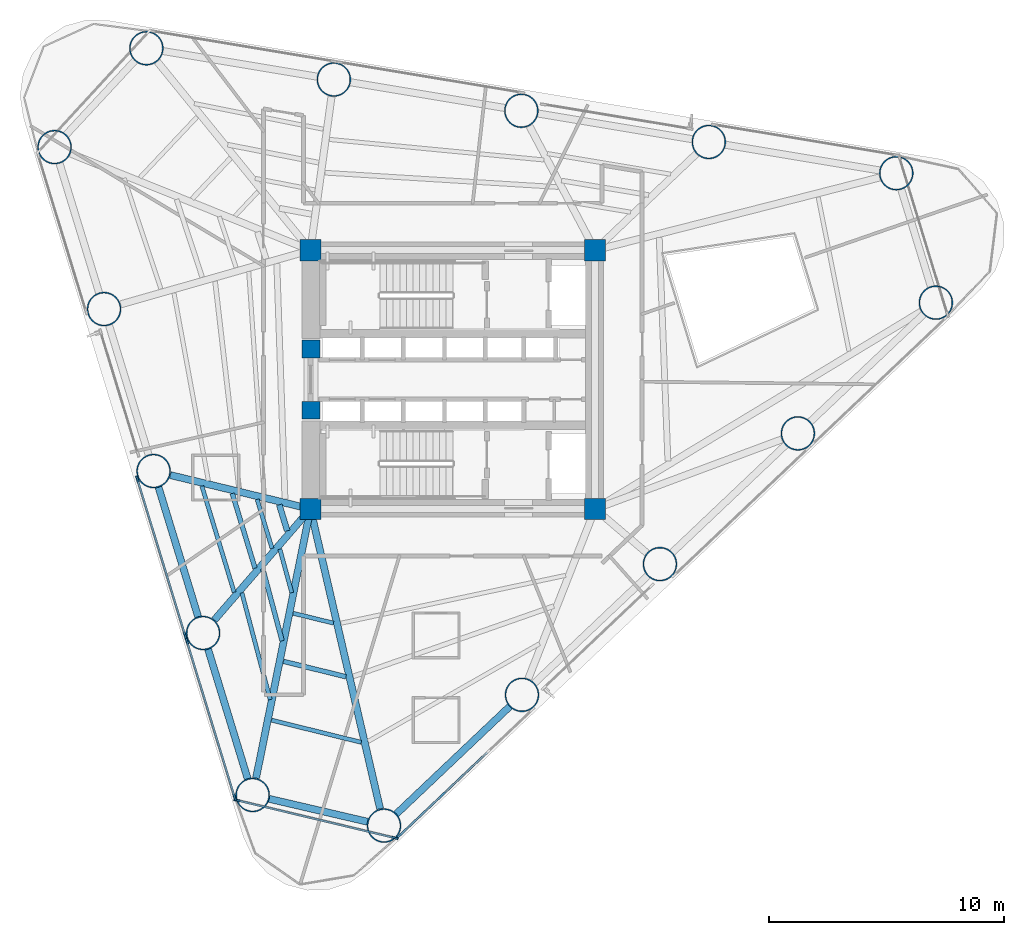
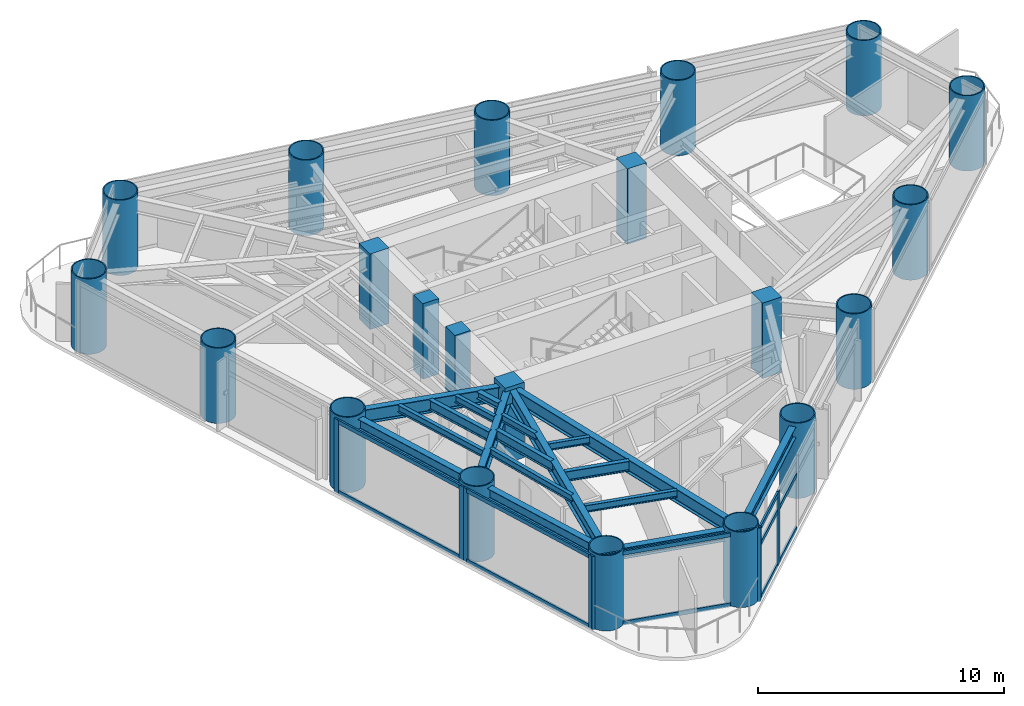
# One storey, part 1 of 10: 21 columns, 19 members, 18 beams, 4 elements without a shape of their own.
"""IFC4 building model written with IfcOpenShell, lengths in metres."""

import ifcopenshell
import ifcopenshell.guid

model = None  # the IFC model being written
_history = None  # IfcOwnerHistory: only IFC2X3 demands one
_inside = {}  # id of a spatial element -> (the spatial element, [elements in it])
_under = {}  # id of a project, library or spatial element -> (it, [spatial elements below it])
_declared = {}  # id of a project -> (the project, [libraries it declares])
_typed = {}  # id of a type object -> (the type object, [elements of that type])
_made_of = {}  # id of a material, layer set ... -> (it, [elements and type objects made of it])


def new_model(schema):
    """Start an empty IFC model of exactly this schema.

    Asked for "IFC4X3", IfcOpenShell would pick the latest addendum, in which some entities
    have other attributes; the version numbers below select the first issue.
    IFC2X3 requires an IfcOwnerHistory on every rooted entity: one is made here for all.
    """
    global model, _history
    if schema == "IFC4X3":
        model = ifcopenshell.file(schema_version=(4, 3, 0, 0))
    else:
        model = ifcopenshell.file(schema=schema)
    _inside.clear()
    _under.clear()
    _declared.clear()
    _typed.clear()
    _made_of.clear()
    _history = None
    if model.schema == "IFC2X3":
        org = make("IfcOrganization", Name="unknown")
        user = make(
            "IfcPersonAndOrganization",
            ThePerson=make("IfcPerson", FamilyName="unknown"),
            TheOrganization=org,
        )
        app = make(
            "IfcApplication",
            ApplicationDeveloper=org,
            Version="unknown",
            ApplicationFullName="unknown",
            ApplicationIdentifier="unknown",
        )
        _history = make(
            "IfcOwnerHistory",
            OwningUser=user,
            OwningApplication=app,
            ChangeAction="ADDED",
            CreationDate=0,
        )
    return model


def make(cls, **values):
    """One entity of the class cls with the attributes given. An attribute that is None is left unset."""
    return model.create_entity(
        cls, **{name: value for name, value in values.items() if value is not None}
    )


def rooted(cls, **values):
    """An entity with a GlobalId (a new one), such as an element, a storey or a relation."""
    return make(cls, GlobalId=ifcopenshell.guid.new(), OwnerHistory=_history, **values)


def si_unit(unit_type, name, prefix=None):
    """IfcSIUnit, for example si_unit("LENGTHUNIT", "METRE", prefix="MILLI")."""
    return make("IfcSIUnit", UnitType=unit_type, Prefix=prefix, Name=name)


def assignment(units):
    """IfcUnitAssignment: the units of a project."""
    return None if units is None else make("IfcUnitAssignment", Units=units)


def point(xyz):
    """IfcCartesianPoint."""
    return None if xyz is None else make("IfcCartesianPoint", Coordinates=xyz)


def direction(xyz):
    """IfcDirection."""
    return None if xyz is None else make("IfcDirection", DirectionRatios=xyz)


def frame(location, z_axis=None, x_axis=None):
    """IfcAxis2Placement3D, a coordinate frame: its origin and axes. An axis left out is left unset."""
    return make(
        "IfcAxis2Placement3D",
        Location=point(location),
        Axis=direction(z_axis),
        RefDirection=direction(x_axis),
    )


def frame_2d(location, x_axis=None):
    """IfcAxis2Placement2D, a coordinate frame in the plane: its origin and x axis."""
    return make(
        "IfcAxis2Placement2D", Location=point(location), RefDirection=direction(x_axis)
    )


def origin():
    """The frame at (0, 0, 0) with its axes left unset."""
    return frame((0.0, 0.0, 0.0))


def origin_2d():
    """The frame at (0, 0) in the plane with its x axis left unset."""
    return frame_2d((0.0, 0.0))


def place(relative_to, where):
    """IfcLocalPlacement: puts the frame where relative to a parent placement (None: the world)."""
    return make(
        "IfcLocalPlacement", PlacementRelTo=relative_to, RelativePlacement=where
    )


def context(
    kind, dimensions, precision=None, world=None, true_north=None, identifier=None
):
    """IfcGeometricRepresentationContext, for example the 3D "Model" context."""
    return make(
        "IfcGeometricRepresentationContext",
        ContextIdentifier=identifier,
        ContextType=kind,
        CoordinateSpaceDimension=dimensions,
        Precision=precision,
        WorldCoordinateSystem=world,
        TrueNorth=true_north,
    )


def subcontext(parent, identifier, kind, view, scale=None):
    """IfcGeometricRepresentationSubContext, for example "Body" below "Model"."""
    return make(
        "IfcGeometricRepresentationSubContext",
        ContextIdentifier=identifier,
        ContextType=kind,
        ParentContext=parent,
        TargetScale=scale,
        TargetView=view,
    )


def project(units=None, contexts=None):
    """IfcProject with its units and contexts."""
    return rooted(
        "IfcProject",
        Name="project",
        RepresentationContexts=contexts,
        UnitsInContext=assignment(units),
    )


def spatial(cls, under=None, at=None, **own):
    """A site, building, storey or space (cls), placed at a placement, below another one or the project."""
    s = rooted(cls, ObjectPlacement=at, **own)
    if under is not None:
        _under.setdefault(under.id(), (under, []))[1].append(s)
    return s


def profile(cls, at=None, kind="AREA", **sizes):
    """A parametric profile (cls). Its sizes go by their IFC names, for example OverallWidth=200.0."""
    return make(cls, ProfileType=kind, Position=at, **sizes)


def rectangle(**sizes):
    """IfcRectangleProfileDef."""
    return profile("IfcRectangleProfileDef", **sizes)


def hollow_circle(**sizes):
    """IfcCircleHollowProfileDef."""
    return profile("IfcCircleHollowProfileDef", **sizes)


def i_section(**sizes):
    """IfcIShapeProfileDef."""
    return profile("IfcIShapeProfileDef", **sizes)


def extrude(swept, where, along, depth):
    """IfcExtrudedAreaSolid: the profile swept, set in the frame where, extruded along a direction by depth."""
    return make(
        "IfcExtrudedAreaSolid",
        SweptArea=swept,
        Position=where,
        ExtrudedDirection=direction(along),
        Depth=depth,
    )


def shape(context_of_items, identifier, shape_type, items):
    """IfcShapeRepresentation: the items that make up one representation, for example the "Body"."""
    return make(
        "IfcShapeRepresentation",
        ContextOfItems=context_of_items,
        RepresentationIdentifier=identifier,
        RepresentationType=shape_type,
        Items=items,
    )


def source(mapping_origin, context_of_items, identifier, shape_type, items):
    """IfcRepresentationMap: a shape defined once, which mapped items show again and again."""
    return make(
        "IfcRepresentationMap",
        MappingOrigin=mapping_origin,
        MappedRepresentation=shape(context_of_items, identifier, shape_type, items),
    )


def transform(
    local_origin,
    x_axis=None,
    y_axis=None,
    z_axis=None,
    scale=None,
    scale2=None,
    scale3=None,
    uniform=True,
):
    """IfcCartesianTransformationOperator3D, or its non-uniform kind. x_axis, y_axis, z_axis: its Axis1, 2, 3."""
    if uniform:
        return make(
            "IfcCartesianTransformationOperator3D",
            Axis1=direction(x_axis),
            Axis2=direction(y_axis),
            LocalOrigin=point(local_origin),
            Scale=scale,
            Axis3=direction(z_axis),
        )
    return make(
        "IfcCartesianTransformationOperator3DnonUniform",
        Axis1=direction(x_axis),
        Axis2=direction(y_axis),
        LocalOrigin=point(local_origin),
        Scale=scale,
        Axis3=direction(z_axis),
        Scale2=scale2,
        Scale3=scale3,
    )


def mapped(mapping_source, mapping_target):
    """IfcMappedItem: shows the shape of a source again, moved by a transform."""
    return make(
        "IfcMappedItem", MappingSource=mapping_source, MappingTarget=mapping_target
    )


def material(Name=None, Category=None):
    """IfcMaterial."""
    return make("IfcMaterial", Name=Name, Category=Category)


def layer(
    of_material, thickness, ventilated=None, Name=None, Category=None, Priority=None
):
    """IfcMaterialLayer: one layer of a wall or slab, of a material (None: an air gap)."""
    return make(
        "IfcMaterialLayer",
        Material=of_material,
        LayerThickness=thickness,
        IsVentilated=ventilated,
        Name=Name,
        Category=Category,
        Priority=Priority,
    )


def layer_set(layers, Name=None):
    """IfcMaterialLayerSet."""
    return make("IfcMaterialLayerSet", MaterialLayers=layers, LayerSetName=Name)


def material_profile(
    of_material, cross_section, Name=None, Category=None, Priority=None
):
    """IfcMaterialProfile: a cross section and its material."""
    return make(
        "IfcMaterialProfile",
        Name=Name,
        Material=of_material,
        Profile=cross_section,
        Priority=Priority,
        Category=Category,
    )


def profile_set(profiles, Name=None, composite=None):
    """IfcMaterialProfileSet."""
    return make(
        "IfcMaterialProfileSet",
        Name=Name,
        MaterialProfiles=profiles,
        CompositeProfile=composite,
    )


def made_of(thing, what):
    """Note that an element or type object is made of a material, layer set ...; save() writes the relation."""
    if what is not None:
        _made_of.setdefault(what.id(), (what, []))[1].append(thing)
    return thing


def type_object(cls, material=None, **own):
    """A type object (cls), such as IfcWallType, which elements share."""
    return made_of(rooted(cls, **own), material)


def element(
    cls,
    number,
    at=None,
    inside=None,
    cuts=None,
    type_object=None,
    material=None,
    context=None,
    identifier="Body",
    shape_type=None,
    held_by="IfcProductDefinitionShape",
    body=None,
    shapes=None,
    **own,
):
    """One element of the class cls, such as IfcWall. Its Tag is "e" and its number.

    at: its placement. inside: the storey or other place that contains it. cuts: it is an
    opening in that element (IfcRelVoidsElement). A single representation is given by context,
    identifier, shape_type and body (its items); several are given by shapes. held_by: the class
    of the entity that holds the representations. save() writes the other relations.
    """
    e = rooted(cls, Tag="e%d" % number, ObjectPlacement=at, **own)
    if body is not None:
        shapes = [shape(context, identifier, shape_type, body)]
    if shapes is not None:
        e.Representation = make(held_by, Representations=shapes)
    if inside is not None:
        _inside.setdefault(inside.id(), (inside, []))[1].append(e)
    if cuts is not None:
        rooted(
            "IfcRelVoidsElement", RelatingBuildingElement=cuts, RelatedOpeningElement=e
        )
    if type_object is not None:
        _typed.setdefault(type_object.id(), (type_object, []))[1].append(e)
    return made_of(e, material)


def aggregate(whole, parts):
    """IfcRelAggregates: a whole, such as a stair, and the parts it consists of."""
    return rooted("IfcRelAggregates", RelatingObject=whole, RelatedObjects=parts)


def save(model, path):
    """Write the relations noted so far, then the file.

    IfcRelAggregates (storeys below a building ...), IfcRelContainedInSpatialStructure (elements
    in a storey), IfcRelDefinesByType, IfcRelAssociatesMaterial and IfcRelDeclares: one each for
    every whole, place, type object, material and project.
    """
    for whole, parts in _under.values():
        aggregate(whole, parts)
    for where, things in _inside.values():
        rooted(
            "IfcRelContainedInSpatialStructure",
            RelatedElements=things,
            RelatingStructure=where,
        )
    for kind, things in _typed.values():
        rooted("IfcRelDefinesByType", RelatedObjects=things, RelatingType=kind)
    for what, things in _made_of.values():
        rooted("IfcRelAssociatesMaterial", RelatedObjects=things, RelatingMaterial=what)
    for by, libraries in _declared.values():
        rooted("IfcRelDeclares", RelatingContext=by, RelatedDefinitions=libraries)
    model.write(path)


model = new_model("IFC4")

# Units and contexts
model_context = context("Model", 3, precision=1e-05, world=origin(), true_north=direction((0.0, 1.0)))
body_context = subcontext(model_context, "Body", "Model", "MODEL_VIEW")
ifc_project = project(units=[si_unit("LENGTHUNIT", "METRE"), si_unit("AREAUNIT", "SQUARE_METRE"), si_unit("VOLUMEUNIT", "CUBIC_METRE"), si_unit("PLANEANGLEUNIT", "RADIAN"), si_unit("MASSUNIT", "GRAM", prefix="KILO")], contexts=[model_context])

# Site, building, storey
site_placement = place(None, origin())
site = spatial("IfcSite", under=ifc_project, at=site_placement, CompositionType="ELEMENT")
building_placement = place(site_placement, origin())
building = spatial("IfcBuilding", under=site, at=building_placement, Name="Yunling Apex Tower", CompositionType="ELEMENT")
storey_placement = place(building_placement, frame((0.0, 0.0, 97.39990234375)))
storey = spatial("IfcBuildingStorey", under=building, at=storey_placement, Name="L24", CompositionType="ELEMENT", Elevation=97.39990234375)

# Columns
ifc_material_1 = material(Name="Concrete C60", Category="concrete")
ifc_material_profile_1 = material_profile(ifc_material_1, rectangle(XDim=0.89990234375, YDim=0.89990234375, at=origin_2d()))
ifc_profile_set_1 = profile_set([ifc_material_profile_1], Name="Concrete C60")
column_type_1 = type_object("IfcColumnType", Name="PC-SRC-3", PredefinedType="COLUMN", material=ifc_profile_set_1)
shared_shape_1 = source(origin(), body_context, "Body", "SweptSolid", [
    extrude(rectangle(XDim=0.89990234375, YDim=0.89990234375, at=origin_2d()), origin(), (0.0, 0.0, 1.0), 3.75),
])
for number, where, z_axis, x_axis, name in (
    (1, (-6.050048828125, -5.5, 0.0), (0.0, 0.0, 1.0), (1.0, 0.0, 0.0), "L24 Core Spine Column CC-SW"),
    (2, (6.050048828125, -5.5, 0.0), (0.0, 0.0, 1.0), (1.0, 0.0, 0.0), "L24 Core Spine Column CC-SE"),
    (3, (6.050048828125, 5.5, 0.0), (0.0, 0.0, 1.0), (1.0, 0.0, 0.0), "L24 Core Spine Column CC-NE"),
    (4, (-6.050048828125, 5.5, 0.0), (0.0, 0.0, 1.0), (1.0, 0.0, 0.0), "L24 Core Spine Column CC-NW"),
):
    element("IfcColumn", number, at=place(storey_placement, frame(where, z_axis=z_axis, x_axis=x_axis)), inside=storey, type_object=column_type_1, Name=name, PredefinedType="COLUMN", context=body_context, shape_type="MappedRepresentation", body=[
        mapped(shared_shape_1, transform((0.0, 0.0, 0.0), scale=1.0)),
    ])
ifc_material_2 = material(Name="Concrete C50", Category="concrete")
ifc_material_profile_2 = material_profile(ifc_material_2, rectangle(XDim=0.75, YDim=0.75, at=origin_2d()))
ifc_profile_set_2 = profile_set([ifc_material_profile_2], Name="Concrete C50")
column_type_2 = type_object("IfcColumnType", Name="PC-SRC-4", PredefinedType="COLUMN", material=ifc_profile_set_2)
shared_shape_2 = source(origin(), body_context, "Body", "SweptSolid", [
    extrude(rectangle(XDim=0.75, YDim=0.75, at=origin_2d()), origin(), (0.0, 0.0, 1.0), 3.75),
])
for number, where, z_axis, x_axis, name in (
    (5, (-6.02490234375, -1.300048828125, 0.0), (0.0, 0.0, 1.0), (1.0, 0.0, 0.0), "L24 Core West Portal Jamb Column S"),
    (6, (-6.02490234375, 1.300048828125, 0.0), (0.0, 0.0, 1.0), (1.0, 0.0, 0.0), "L24 Core West Portal Jamb Column N"),
):
    element("IfcColumn", number, at=place(storey_placement, frame(where, z_axis=z_axis, x_axis=x_axis)), inside=storey, type_object=column_type_2, Name=name, PredefinedType="COLUMN", context=body_context, shape_type="MappedRepresentation", body=[
        mapped(shared_shape_2, transform((0.0, 0.0, 0.0), scale=1.0)),
    ])
ifc_material_3 = material(Name="Steel Q390GJC", Category="steel")
ifc_material_profile_3 = material_profile(ifc_material_3, hollow_circle(Radius=0.72509765625, WallThickness=0.050048828125, at=origin_2d()))
ifc_profile_set_3 = profile_set([ifc_material_profile_3], Name="Steel Q390GJC")
column_type_3 = type_object("IfcColumnType", Name="MC-CFST-2", PredefinedType="COLUMN", material=ifc_profile_set_3)
shared_shape_3 = source(origin(), body_context, "Body", "SweptSolid", [
    extrude(hollow_circle(Radius=0.72509765625, WallThickness=0.050048828125, at=origin_2d()), origin(), (0.0, 0.0, 1.0), 3.75),
])
for number, where, z_axis, x_axis, name in (
    (7, (-2.92138671875, -18.960205078125, 0.0), (0.0, 0.0, 1.0), (1.0, 0.0, 0.0), "L24 Perimeter CFST Mega-Column P01"),
    (8, (2.943359375, -13.40234375, 0.0), (0.0, 0.0, 1.0), (1.0, 0.0, 0.0), "L24 Perimeter CFST Mega-Column P02"),
    (9, (8.80810546875, -7.8447265625, 0.0), (0.0, 0.0, 1.0), (1.0, 0.0, 0.0), "L24 Perimeter CFST Mega-Column P03"),
    (10, (14.6728515625, -2.287109375, 0.0), (0.0, 0.0, 1.0), (1.0, 0.0, 0.0), "L24 Perimeter CFST Mega-Column P04"),
    (11, (20.53759765625, 3.2705078125, 0.0), (0.0, 0.0, 1.0), (1.0, 0.0, 0.0), "L24 Perimeter CFST Mega-Column P05"),
    (12, (18.855224609375, 8.77294921875, 0.0), (0.0, 0.0, 1.0), (1.0, 0.0, 0.0), "L24 Perimeter CFST Mega-Column P06"),
    (13, (10.88525390625, 10.10107421875, 0.0), (0.0, 0.0, 1.0), (1.0, 0.0, 0.0), "L24 Perimeter CFST Mega-Column P07"),
    (14, (2.915283203125, 11.428955078125, 0.0), (0.0, 0.0, 1.0), (1.0, 0.0, 0.0), "L24 Perimeter CFST Mega-Column P08"),
    (15, (-5.054443359375, 12.757080078125, 0.0), (0.0, 0.0, 1.0), (1.0, 0.0, 0.0), "L24 Perimeter CFST Mega-Column P09"),
    (16, (-13.0244140625, 14.0849609375, 0.0), (0.0, 0.0, 1.0), (1.0, 0.0, 0.0), "L24 Perimeter CFST Mega-Column P10"),
    (17, (-16.927490234375, 9.88330078125, 0.0), (0.0, 0.0, 1.0), (1.0, 0.0, 0.0), "L24 Perimeter CFST Mega-Column P11"),
    (18, (-14.822509765625, 2.99755859375, 0.0), (0.0, 0.0, 1.0), (1.0, 0.0, 0.0), "L24 Perimeter CFST Mega-Column P12"),
    (19, (-12.71728515625, -3.887939453125, 0.0), (0.0, 0.0, 1.0), (1.0, 0.0, 0.0), "L24 Perimeter CFST Mega-Column P13"),
    (20, (-10.612060546875, -10.773681640625, 0.0), (0.0, 0.0, 1.0), (1.0, 0.0, 0.0), "L24 Perimeter CFST Mega-Column P14"),
    (21, (-8.5068359375, -17.6591796875, 0.0), (0.0, 0.0, 1.0), (1.0, 0.0, 0.0), "L24 Perimeter CFST Mega-Column P15"),
):
    element("IfcColumn", number, at=place(storey_placement, frame(where, z_axis=z_axis, x_axis=x_axis)), inside=storey, type_object=column_type_3, Name=name, PredefinedType="COLUMN", context=body_context, shape_type="MappedRepresentation", body=[
        mapped(shared_shape_3, transform((0.0, 0.0, 0.0), scale=1.0)),
    ])

# Beams
ifc_material_4 = material(Name="Steel Q355B", Category="steel")
ifc_material_profile_4 = material_profile(ifc_material_4, i_section(OverallWidth=0.300048828125, OverallDepth=0.5400390625, WebThickness=0.011962890625, FlangeThickness=0.02001953125, FilletRadius=0.02392578125, at=origin_2d()))
ifc_profile_set_4 = profile_set([ifc_material_profile_4], Name="Steel Q355B")
beam_type_1 = type_object("IfcBeamType", Name="BP-SPN-1", PredefinedType="SPANDREL", material=ifc_profile_set_4)
shared_shape_4 = source(origin(), body_context, "Body", "SweptSolid", [
    extrude(i_section(OverallWidth=0.300048828125, OverallDepth=0.5400390625, WebThickness=0.011962890625, FlangeThickness=0.02001953125, FilletRadius=0.02392578125, at=origin_2d()), origin(), (0.0, 0.0, 1.0), 6.6416015625),
])
beam_1_placement = place(storey_placement, frame((-2.3994140625, -18.465576171875, 3.295166015625), z_axis=(0.725837728974, 0.68786596892, 0.0), x_axis=(-0.68786596892, 0.725837728974, 0.0)))
element("IfcBeam", 22, at=beam_1_placement, inside=storey, type_object=beam_type_1, Name="L24 Perimeter Spandrel Beam 1", PredefinedType="SPANDREL", context=body_context, shape_type="MappedRepresentation", body=[
    mapped(shared_shape_4, transform((0.0, 0.0, 0.0), scale=1.0)),
])
shared_shape_5 = source(origin(), body_context, "Body", "SweptSolid", [
    extrude(i_section(OverallWidth=0.300048828125, OverallDepth=0.5400390625, WebThickness=0.011962890625, FlangeThickness=0.02001953125, FilletRadius=0.02392578125, at=origin_2d()), origin(), (0.0, 0.0, 1.0), 5.76220703125),
])
for number, where, z_axis, x_axis, name in (
    (23, (-12.507080078125, -4.57568359375, 3.295166015625), (0.292385374143, -0.956300576695, 0.0), (0.956300576695, 0.292385374143, 0.0), "L24 Perimeter Spandrel Beam 13"),
    (24, (-10.40185546875, -11.461181640625, 3.295166015625), (0.292385374143, -0.956300576695, 0.0), (0.956300576695, 0.292385374143, 0.0), "L24 Perimeter Spandrel Beam 14"),
):
    element("IfcBeam", number, at=place(storey_placement, frame(where, z_axis=z_axis, x_axis=x_axis)), inside=storey, type_object=beam_type_1, Name=name, PredefinedType="SPANDREL", context=body_context, shape_type="MappedRepresentation", body=[
        mapped(shared_shape_5, transform((0.0, 0.0, 0.0), scale=1.0)),
    ])
shared_shape_6 = source(origin(), body_context, "Body", "SweptSolid", [
    extrude(i_section(OverallWidth=0.300048828125, OverallDepth=0.5400390625, WebThickness=0.011962890625, FlangeThickness=0.02001953125, FilletRadius=0.02392578125, at=origin_2d()), origin(), (0.0, 0.0, 1.0), 4.297119140625),
])
beam_2_placement = place(storey_placement, frame((-7.806640625, -17.822509765625, 3.295166015625), z_axis=(0.973939184954, -0.226809312002, 0.0), x_axis=(0.226809312002, 0.973939184954, 0.0)))
element("IfcBeam", 25, at=beam_2_placement, inside=storey, type_object=beam_type_1, Name="L24 Perimeter Spandrel Beam 15", PredefinedType="SPANDREL", context=body_context, shape_type="MappedRepresentation", body=[
    mapped(shared_shape_6, transform((0.0, 0.0, 0.0), scale=1.0)),
])
ifc_material_profile_5 = material_profile(ifc_material_4, i_section(OverallWidth=0.300048828125, OverallDepth=0.699951171875, WebThickness=0.012939453125, FlangeThickness=0.02392578125, FilletRadius=0.02587890625, at=origin_2d()))
ifc_profile_set_5 = profile_set([ifc_material_profile_5], Name="Steel Q355B")
beam_type_2 = type_object("IfcBeamType", Name="BG-PRI-3", PredefinedType="USERDEFINED", material=ifc_profile_set_5)
shared_shape_7 = source(origin(), body_context, "Body", "SweptSolid", [
    extrude(i_section(OverallWidth=0.300048828125, OverallDepth=0.699951171875, WebThickness=0.012939453125, FlangeThickness=0.02392578125, FilletRadius=0.02587890625, at=origin_2d()), origin(), (0.0, 0.0, 1.0), 13.005859375),
])
beam_3_placement = place(storey_placement, frame((-3.08740234375, -18.24609375, 3.215087890625), z_axis=(-0.226402915749, 0.974033736449, 0.0), x_axis=(-0.974033736449, -0.226402915749, 0.0)))
element("IfcBeam", 26, at=beam_3_placement, inside=storey, type_object=beam_type_2, Name="L24 Radial Primary Girder R01", ObjectType="GIRDER", PredefinedType="USERDEFINED", context=body_context, shape_type="MappedRepresentation", body=[
    mapped(shared_shape_7, transform((0.0, 0.0, 0.0), scale=1.0)),
])
shared_shape_8 = source(origin(), body_context, "Body", "SweptSolid", [
    extrude(i_section(OverallWidth=0.300048828125, OverallDepth=0.699951171875, WebThickness=0.012939453125, FlangeThickness=0.02392578125, FilletRadius=0.02587890625, at=origin_2d()), origin(), (0.0, 0.0, 1.0), 6.046630859375),
])
beam_4_placement = place(storey_placement, frame((-12.0048828125, -4.060302734375, 3.215087890625), z_axis=(0.971996717199, -0.234994429199, 0.0), x_axis=(0.234994429199, 0.971996717199, 0.0)))
element("IfcBeam", 27, at=beam_4_placement, inside=storey, type_object=beam_type_2, Name="L24 Radial Primary Girder R13", ObjectType="GIRDER", PredefinedType="USERDEFINED", context=body_context, shape_type="MappedRepresentation", body=[
    mapped(shared_shape_8, transform((0.0, 0.0, 0.0), scale=1.0)),
])
shared_shape_9 = source(origin(), body_context, "Body", "SweptSolid", [
    extrude(i_section(OverallWidth=0.300048828125, OverallDepth=0.699951171875, WebThickness=0.012939453125, FlangeThickness=0.02392578125, FilletRadius=0.02587890625, at=origin_2d()), origin(), (0.0, 0.0, 1.0), 6.16015625),
])
beam_5_placement = place(storey_placement, frame((-10.132568359375, -10.21923828125, 3.215087890625), z_axis=(0.654257326822, 0.756272008142, 0.0), x_axis=(-0.756272008142, 0.654257326822, 0.0)))
element("IfcBeam", 28, at=beam_5_placement, inside=storey, type_object=beam_type_2, Name="L24 Radial Primary Girder R14", ObjectType="GIRDER", PredefinedType="USERDEFINED", context=body_context, shape_type="MappedRepresentation", body=[
    mapped(shared_shape_9, transform((0.0, 0.0, 0.0), scale=1.0)),
])
shared_shape_10 = source(origin(), body_context, "Body", "SweptSolid", [
    extrude(i_section(OverallWidth=0.300048828125, OverallDepth=0.699951171875, WebThickness=0.012939453125, FlangeThickness=0.02392578125, FilletRadius=0.02587890625, at=origin_2d()), origin(), (0.0, 0.0, 1.0), 11.59228515625),
])
beam_6_placement = place(storey_placement, frame((-8.36181640625, -16.94091796875, 3.215087890625), z_axis=(0.198055775124, 0.980190751813, 0.0), x_axis=(-0.980190751813, 0.198055775124, 0.0)))
element("IfcBeam", 29, at=beam_6_placement, inside=storey, type_object=beam_type_2, Name="L24 Radial Primary Girder R15", ObjectType="GIRDER", PredefinedType="USERDEFINED", context=body_context, shape_type="MappedRepresentation", body=[
    mapped(shared_shape_10, transform((0.0, 0.0, 0.0), scale=1.0)),
])
ifc_material_profile_6 = material_profile(ifc_material_4, i_section(OverallWidth=0.199951171875, OverallDepth=0.5, WebThickness=0.010009765625, FlangeThickness=0.01611328125, FilletRadius=0.02001953125, at=origin_2d()))
ifc_profile_set_6 = profile_set([ifc_material_profile_6], Name="Steel Q355B")
beam_type_3 = type_object("IfcBeamType", Name="BS-SEC-2", PredefinedType="BEAM", material=ifc_profile_set_6)
shared_shape_11 = source(origin(), body_context, "Body", "SweptSolid", [
    extrude(i_section(OverallWidth=0.199951171875, OverallDepth=0.5, WebThickness=0.010009765625, FlangeThickness=0.01611328125, FilletRadius=0.02001953125, at=origin_2d()), origin(), (0.0, 0.0, 1.0), 3.321533203125),
])
beam_7_placement = place(storey_placement, frame((-9.372314453125, -4.838623046875, 3.315185546875), z_axis=(0.291000743066, -0.956722826912, 0.0), x_axis=(0.956722826912, 0.291000743066, 0.0)))
element("IfcBeam", 30, at=beam_7_placement, inside=storey, type_object=beam_type_3, Name="L24 Composite Floor Beam BS-13", PredefinedType="BEAM", context=body_context, shape_type="MappedRepresentation", body=[
    mapped(shared_shape_11, transform((0.0, 0.0, 0.0), scale=1.0)),
])
ifc_material_profile_7 = material_profile(ifc_material_4, i_section(OverallWidth=0.175048828125, OverallDepth=0.35009765625, WebThickness=0.007080078125, FlangeThickness=0.010986328125, FilletRadius=0.013916015625, at=origin_2d()))
ifc_profile_set_7 = profile_set([ifc_material_profile_7], Name="Steel Q355B")
beam_type_4 = type_object("IfcBeamType", Name="BJ-JST-1", PredefinedType="JOIST", material=ifc_profile_set_7)
shared_shape_12 = source(origin(), body_context, "Body", "SweptSolid", [
    extrude(i_section(OverallWidth=0.175048828125, OverallDepth=0.35009765625, WebThickness=0.007080078125, FlangeThickness=0.010986328125, FilletRadius=0.013916015625, at=origin_2d()), origin(), (0.0, 0.0, 1.0), 4.719482421875),
])
beam_8_placement = place(storey_placement, frame((-10.665283203125, -4.52587890625, 3.39013671875), z_axis=(0.290881649014, -0.95675904295, 0.0), x_axis=(0.95675904295, 0.290881649014, 0.0)))
element("IfcBeam", 31, at=beam_8_placement, inside=storey, type_object=beam_type_4, Name="L24 Composite Floor Joist BJ1-13", PredefinedType="JOIST", context=body_context, shape_type="MappedRepresentation", body=[
    mapped(shared_shape_12, transform((0.0, 0.0, 0.0), scale=1.0)),
])
shared_shape_13 = source(origin(), body_context, "Body", "SweptSolid", [
    extrude(i_section(OverallWidth=0.175048828125, OverallDepth=0.35009765625, WebThickness=0.007080078125, FlangeThickness=0.010986328125, FilletRadius=0.013916015625, at=origin_2d()), origin(), (0.0, 0.0, 1.0), 2.177734375),
])
beam_9_placement = place(storey_placement, frame((-8.314453125, -5.09423828125, 3.39013671875), z_axis=(0.291130389824, -0.956683383425, 0.0), x_axis=(0.956683383425, 0.291130389824, 0.0)))
element("IfcBeam", 32, at=beam_9_placement, inside=storey, type_object=beam_type_4, Name="L24 Composite Floor Joist BJ3-13", PredefinedType="JOIST", context=body_context, shape_type="MappedRepresentation", body=[
    mapped(shared_shape_13, transform((0.0, 0.0, 0.0), scale=1.0)),
])
ifc_material_profile_8 = material_profile(ifc_material_4, i_section(OverallWidth=0.25, OverallDepth=0.340087890625, WebThickness=0.009033203125, FlangeThickness=0.013916015625, FilletRadius=0.01806640625, at=origin_2d()))
ifc_profile_set_8 = profile_set([ifc_material_profile_8], Name="Steel Q355B")
beam_type_5 = type_object("IfcBeamType", Name="BJ-JST-2", PredefinedType="JOIST", material=ifc_profile_set_8)
shared_shape_14 = source(origin(), body_context, "Body", "SweptSolid", [
    extrude(i_section(OverallWidth=0.25, OverallDepth=0.340087890625, WebThickness=0.009033203125, FlangeThickness=0.013916015625, FilletRadius=0.01806640625, at=origin_2d()), origin(), (0.0, 0.0, 1.0), 1.160888671875),
])
beam_10_placement = place(storey_placement, frame((-7.3740234375, -5.32177734375, 3.39501953125), z_axis=(0.291454472577, -0.956584701119, 0.0), x_axis=(0.956584701119, 0.291454472577, 0.0)))
element("IfcBeam", 33, at=beam_10_placement, inside=storey, type_object=beam_type_5, Name="L24 Composite Floor Joist BJ2-13", PredefinedType="JOIST", context=body_context, shape_type="MappedRepresentation", body=[
    mapped(shared_shape_14, transform((0.0, 0.0, 0.0), scale=1.0)),
])
shared_shape_15 = source(origin(), body_context, "Body", "SweptSolid", [
    extrude(i_section(OverallWidth=0.199951171875, OverallDepth=0.5, WebThickness=0.010009765625, FlangeThickness=0.01611328125, FilletRadius=0.02001953125, at=origin_2d()), origin(), (0.0, 0.0, 1.0), 3.168701171875),
])
beam_11_placement = place(storey_placement, frame((-8.075927734375, -8.04443359375, 3.315185546875), z_axis=(0.259033901524, -0.965868230071, 0.0), x_axis=(0.965868230071, 0.259033901524, 0.0)))
element("IfcBeam", 34, at=beam_11_placement, inside=storey, type_object=beam_type_3, Name="L24 Composite Floor Beam BS-14", PredefinedType="BEAM", context=body_context, shape_type="MappedRepresentation", body=[
    mapped(shared_shape_15, transform((0.0, 0.0, 0.0), scale=1.0)),
])
shared_shape_16 = source(origin(), body_context, "Body", "SweptSolid", [
    extrude(i_section(OverallWidth=0.175048828125, OverallDepth=0.35009765625, WebThickness=0.007080078125, FlangeThickness=0.010986328125, FilletRadius=0.013916015625, at=origin_2d()), origin(), (0.0, 0.0, 1.0), 4.69189453125),
])
beam_12_placement = place(storey_placement, frame((-8.962890625, -9.069580078125, 3.39013671875), z_axis=(0.256370213066, -0.966578664079, 0.0), x_axis=(0.966578664079, 0.256370213066, 0.0)))
element("IfcBeam", 35, at=beam_12_placement, inside=storey, type_object=beam_type_4, Name="L24 Composite Floor Joist BJ1-14", PredefinedType="JOIST", context=body_context, shape_type="MappedRepresentation", body=[
    mapped(shared_shape_16, transform((0.0, 0.0, 0.0), scale=1.0)),
])
shared_shape_17 = source(origin(), body_context, "Body", "SweptSolid", [
    extrude(i_section(OverallWidth=0.175048828125, OverallDepth=0.35009765625, WebThickness=0.007080078125, FlangeThickness=0.010986328125, FilletRadius=0.013916015625, at=origin_2d()), origin(), (0.0, 0.0, 1.0), 1.92236328125),
])
beam_13_placement = place(storey_placement, frame((-7.349853515625, -7.205810546875, 3.39013671875), z_axis=(0.263783616245, -0.964581880299, 0.0), x_axis=(0.964581880299, 0.263783616245, 0.0)))
element("IfcBeam", 36, at=beam_13_placement, inside=storey, type_object=beam_type_4, Name="L24 Composite Floor Joist BJ3-14", PredefinedType="JOIST", context=body_context, shape_type="MappedRepresentation", body=[
    mapped(shared_shape_17, transform((0.0, 0.0, 0.0), scale=1.0)),
])
shared_shape_18 = source(origin(), body_context, "Body", "SweptSolid", [
    extrude(i_section(OverallWidth=0.199951171875, OverallDepth=0.5, WebThickness=0.010009765625, FlangeThickness=0.01611328125, FilletRadius=0.02001953125, at=origin_2d()), origin(), (0.0, 0.0, 1.0), 2.737060546875),
])
beam_14_placement = place(storey_placement, frame((-7.196044921875, -11.9794921875, 3.315185546875), z_axis=(0.971007234619, -0.239050100016, 0.0), x_axis=(0.239050100016, 0.971007234619, 0.0)))
element("IfcBeam", 37, at=beam_14_placement, inside=storey, type_object=beam_type_3, Name="L24 Composite Floor Beam BS-15", PredefinedType="BEAM", context=body_context, shape_type="MappedRepresentation", body=[
    mapped(shared_shape_18, transform((0.0, 0.0, 0.0), scale=1.0)),
])
shared_shape_19 = source(origin(), body_context, "Body", "SweptSolid", [
    extrude(i_section(OverallWidth=0.175048828125, OverallDepth=0.35009765625, WebThickness=0.007080078125, FlangeThickness=0.010986328125, FilletRadius=0.013916015625, at=origin_2d()), origin(), (0.0, 0.0, 1.0), 3.925537109375),
])
beam_15_placement = place(storey_placement, frame((-7.701416015625, -14.4794921875, 3.39013671875), z_axis=(0.970833614746, -0.239754233494, 0.0), x_axis=(0.239754233494, 0.970833614746, 0.0)))
element("IfcBeam", 38, at=beam_15_placement, inside=storey, type_object=beam_type_4, Name="L24 Composite Floor Joist BJ1-15", PredefinedType="JOIST", context=body_context, shape_type="MappedRepresentation", body=[
    mapped(shared_shape_19, transform((0.0, 0.0, 0.0), scale=1.0)),
])
shared_shape_20 = source(origin(), body_context, "Body", "SweptSolid", [
    extrude(i_section(OverallWidth=0.175048828125, OverallDepth=0.35009765625, WebThickness=0.007080078125, FlangeThickness=0.010986328125, FilletRadius=0.013916015625, at=origin_2d()), origin(), (0.0, 0.0, 1.0), 1.764892578125),
])
beam_16_placement = place(storey_placement, frame((-6.78271484375, -9.93408203125, 3.39013671875), z_axis=(0.971318830932, -0.237780841694, 0.0), x_axis=(0.237780841694, 0.971318830932, 0.0)))
element("IfcBeam", 39, at=beam_16_placement, inside=storey, type_object=beam_type_4, Name="L24 Composite Floor Joist BJ3-15", PredefinedType="JOIST", context=body_context, shape_type="MappedRepresentation", body=[
    mapped(shared_shape_20, transform((0.0, 0.0, 0.0), scale=1.0)),
])

# Curtain wall, members
ifc_material_5 = material(Name="Bronze anodised aluminium", Category="aluminium")
ifc_layer = layer(ifc_material_5, 0.260009765625)
ifc_layer_set = layer_set([ifc_layer], Name="Bronze anodised aluminium")
curtain_wall_type = type_object("IfcCurtainWallType", Name="CW-SYS-2", PredefinedType="NOTDEFINED", material=ifc_layer_set)
curtain_wall_1_placement = place(storey_placement, origin())
curtain_wall_1 = element("IfcCurtainWall", 40, at=curtain_wall_1_placement, inside=storey, type_object=curtain_wall_type, Name="CW-L24-F1-B1", PredefinedType="NOTDEFINED")
ifc_material_profile_9 = material_profile(ifc_material_5, rectangle(XDim=0.0849609375, YDim=0.260009765625, at=origin_2d()))
ifc_profile_set_9 = profile_set([ifc_material_profile_9], Name="Bronze anodised aluminium")
member_type_1 = type_object("IfcMemberType", Name="CW-MUL-2", PredefinedType="MULLION", material=ifc_profile_set_9)
shared_shape_21 = source(origin(), body_context, "Body", "SweptSolid", [
    extrude(rectangle(XDim=0.0849609375, YDim=0.260009765625, at=origin_2d()), origin(), (0.0, 0.0, 1.0), 3.664794921875),
])
member_1_placement = place(storey_placement, frame((-2.3095703125, -19.427490234375, -0.0498046875), z_axis=(0.0, 0.0, 1.0), x_axis=(-0.687861264918, 0.72584218686, 0.0)))
member_1 = element("IfcMember", 41, at=member_1_placement, type_object=member_type_1, Name="CW-SYS-2 mullion 1", PredefinedType="MULLION", context=body_context, shape_type="MappedRepresentation", body=[
    mapped(shared_shape_21, transform((0.0, 0.0, 0.0), scale=1.0)),
])
member_2_placement = place(storey_placement, frame((-0.42431640625, -17.640869140625, -0.0498046875), z_axis=(0.0, 0.0, 1.0), x_axis=(-0.687861264918, 0.72584218686, 0.0)))
member_2 = element("IfcMember", 42, at=member_2_placement, type_object=member_type_1, Name="CW-SYS-2 mullion 2", PredefinedType="MULLION", context=body_context, shape_type="MappedRepresentation", body=[
    mapped(shared_shape_21, transform((0.0, 0.0, 0.0), scale=1.0)),
])

curtain_wall_2_placement = place(storey_placement, origin())
curtain_wall_2 = element("IfcCurtainWall", 43, at=curtain_wall_2_placement, inside=storey, type_object=curtain_wall_type, Name="CW-L24-F3-B3", PredefinedType="NOTDEFINED")
member_3_placement = place(storey_placement, frame((-13.408203125, -4.227294921875, -0.0498046875), z_axis=(0.0, 0.0, 1.0), x_axis=(0.956304476342, 0.292372619321, 0.0)))
member_3 = element("IfcMember", 44, at=member_3_placement, type_object=member_type_1, Name="CW-SYS-2 mullion 1", PredefinedType="MULLION", context=body_context, shape_type="MappedRepresentation", body=[
    mapped(shared_shape_21, transform((0.0, 0.0, 0.0), scale=1.0)),
])
member_4_placement = place(storey_placement, frame((-11.374755859375, -10.878662109375, -0.0498046875), z_axis=(0.0, 0.0, 1.0), x_axis=(0.956304476342, 0.292372619321, 0.0)))
member_4 = element("IfcMember", 45, at=member_4_placement, type_object=member_type_1, Name="CW-SYS-2 mullion 2", PredefinedType="MULLION", context=body_context, shape_type="MappedRepresentation", body=[
    mapped(shared_shape_21, transform((0.0, 0.0, 0.0), scale=1.0)),
])

curtain_wall_3_placement = place(storey_placement, origin())
curtain_wall_3 = element("IfcCurtainWall", 46, at=curtain_wall_3_placement, inside=storey, type_object=curtain_wall_type, Name="CW-L24-F3-B4", PredefinedType="NOTDEFINED")
member_5_placement = place(storey_placement, frame((-11.302978515625, -11.113037109375, -0.0498046875), z_axis=(0.0, 0.0, 1.0), x_axis=(0.956304476342, 0.292372619321, 0.0)))
member_5 = element("IfcMember", 47, at=member_5_placement, type_object=member_type_1, Name="CW-SYS-2 mullion 1", PredefinedType="MULLION", context=body_context, shape_type="MappedRepresentation", body=[
    mapped(shared_shape_21, transform((0.0, 0.0, 0.0), scale=1.0)),
])
member_6_placement = place(storey_placement, frame((-9.26953125, -17.764404296875, -0.0498046875), z_axis=(0.0, 0.0, 1.0), x_axis=(0.956304476342, 0.292372619321, 0.0)))
member_6 = element("IfcMember", 48, at=member_6_placement, type_object=member_type_1, Name="CW-SYS-2 mullion 2", PredefinedType="MULLION", context=body_context, shape_type="MappedRepresentation", body=[
    mapped(shared_shape_21, transform((0.0, 0.0, 0.0), scale=1.0)),
])

curtain_wall_4_placement = place(storey_placement, origin())
curtain_wall_4 = element("IfcCurtainWall", 49, at=curtain_wall_4_placement, inside=storey, type_object=curtain_wall_type, Name="CW-L24-CRN3", PredefinedType="NOTDEFINED")
member_7_placement = place(storey_placement, frame((-9.17333984375, -17.885498046875, -0.0498046875), z_axis=(0.0, 0.0, 1.0), x_axis=(0.23189504865, 0.972740811528, 0.0)))
member_7 = element("IfcMember", 50, at=member_7_placement, type_object=member_type_1, Name="CW-SYS-2 mullion 1", PredefinedType="MULLION", context=body_context, shape_type="MappedRepresentation", body=[
    mapped(shared_shape_21, transform((0.0, 0.0, 0.0), scale=1.0)),
])
member_8_placement = place(storey_placement, frame((-2.453857421875, -19.487548828125, -0.0498046875), z_axis=(0.0, 0.0, 1.0), x_axis=(0.23189504865, 0.972740811528, 0.0)))
member_8 = element("IfcMember", 51, at=member_8_placement, type_object=member_type_1, Name="CW-SYS-2 mullion 2", PredefinedType="MULLION", context=body_context, shape_type="MappedRepresentation", body=[
    mapped(shared_shape_21, transform((0.0, 0.0, 0.0), scale=1.0)),
])

# Member
ifc_material_profile_10 = material_profile(ifc_material_5, rectangle(XDim=0.0849609375, YDim=0.199951171875, at=origin_2d()))
ifc_profile_set_10 = profile_set([ifc_material_profile_10], Name="Bronze anodised aluminium")
member_type_2 = type_object("IfcMemberType", Name="CW-TRN-2", PredefinedType="USERDEFINED", material=ifc_profile_set_10)
shared_shape_22 = source(origin(), body_context, "Body", "SweptSolid", [
    extrude(rectangle(XDim=0.0849609375, YDim=0.199951171875, at=origin_2d()), origin(), (0.0, 0.0, 1.0), 2.52099609375),
])
member_9_placement = place(storey_placement, frame((-2.281982421875, -19.4013671875, 0.04248046875), z_axis=(0.725833069148, 0.687870885945, 0.0), x_axis=(-0.687870885945, 0.725833069148, 0.0)))
member_9 = element("IfcMember", 52, at=member_9_placement, type_object=member_type_2, Name="CW-SYS-2 transom 1.1", ObjectType="TRANSOM", PredefinedType="USERDEFINED", context=body_context, shape_type="MappedRepresentation", body=[
    mapped(shared_shape_22, transform((0.0, 0.0, 0.0), scale=1.0)),
])

member_10_placement = place(storey_placement, frame((-2.281982421875, -19.4013671875, 2.715087890625), z_axis=(0.725833069148, 0.687870885945, 0.0), x_axis=(-0.687870885945, 0.725833069148, 0.0)))
member_10 = element("IfcMember", 53, at=member_10_placement, type_object=member_type_2, Name="CW-SYS-2 transom 1.2", ObjectType="TRANSOM", PredefinedType="USERDEFINED", context=body_context, shape_type="MappedRepresentation", body=[
    mapped(shared_shape_22, transform((0.0, 0.0, 0.0), scale=1.0)),
])

member_11_placement = place(storey_placement, frame((-2.281982421875, -19.4013671875, 3.522705078125), z_axis=(0.725833069148, 0.687870885945, 0.0), x_axis=(-0.687870885945, 0.725833069148, 0.0)))
member_11 = element("IfcMember", 54, at=member_11_placement, type_object=member_type_2, Name="CW-SYS-2 transom 1.3", ObjectType="TRANSOM", PredefinedType="USERDEFINED", context=body_context, shape_type="MappedRepresentation", body=[
    mapped(shared_shape_22, transform((0.0, 0.0, 0.0), scale=1.0)),
])

shared_shape_23 = source(origin(), body_context, "Body", "SweptSolid", [
    extrude(rectangle(XDim=0.0849609375, YDim=0.199951171875, at=origin_2d()), origin(), (0.0, 0.0, 1.0), 2.563232421875),
])
member_12_placement = place(storey_placement, frame((-0.396484375, -17.614501953125, 0.04248046875), z_axis=(0.725852566003, 0.687850312515, 0.0), x_axis=(-0.687850312515, 0.725852566003, 0.0)))
member_12 = element("IfcMember", 55, at=member_12_placement, type_object=member_type_2, Name="CW-SYS-2 transom 2.1", ObjectType="TRANSOM", PredefinedType="USERDEFINED", context=body_context, shape_type="MappedRepresentation", body=[
    mapped(shared_shape_23, transform((0.0, 0.0, 0.0), scale=1.0)),
])

member_13_placement = place(storey_placement, frame((-0.396484375, -17.614501953125, 2.715087890625), z_axis=(0.725852566003, 0.687850312515, 0.0), x_axis=(-0.687850312515, 0.725852566003, 0.0)))
member_13 = element("IfcMember", 56, at=member_13_placement, type_object=member_type_2, Name="CW-SYS-2 transom 2.2", ObjectType="TRANSOM", PredefinedType="USERDEFINED", context=body_context, shape_type="MappedRepresentation", body=[
    mapped(shared_shape_23, transform((0.0, 0.0, 0.0), scale=1.0)),
])

aggregate(curtain_wall_1, [member_1, member_2, member_9, member_10, member_11, member_12, member_13])

shared_shape_24 = source(origin(), body_context, "Body", "SweptSolid", [
    extrude(rectangle(XDim=0.0849609375, YDim=0.199951171875, at=origin_2d()), origin(), (0.0, 0.0, 1.0), 6.831298828125),
])
member_14_placement = place(storey_placement, frame((-9.135986328125, -17.89453125, 0.04248046875), z_axis=(0.972745593735, -0.231874987587, 0.0), x_axis=(0.231874987587, 0.972745593735, 0.0)))
member_14 = element("IfcMember", 57, at=member_14_placement, type_object=member_type_2, Name="CW-SYS-2 transom 1.1", ObjectType="TRANSOM", PredefinedType="USERDEFINED", context=body_context, shape_type="MappedRepresentation", body=[
    mapped(shared_shape_24, transform((0.0, 0.0, 0.0), scale=1.0)),
])

member_15_placement = place(storey_placement, frame((-9.135986328125, -17.89453125, 3.522705078125), z_axis=(0.972745593735, -0.231874987587, 0.0), x_axis=(0.231874987587, 0.972745593735, 0.0)))
member_15 = element("IfcMember", 58, at=member_15_placement, type_object=member_type_2, Name="CW-SYS-2 transom 1.2", ObjectType="TRANSOM", PredefinedType="USERDEFINED", context=body_context, shape_type="MappedRepresentation", body=[
    mapped(shared_shape_24, transform((0.0, 0.0, 0.0), scale=1.0)),
])

aggregate(curtain_wall_4, [member_7, member_8, member_14, member_15])

shared_shape_25 = source(origin(), body_context, "Body", "SweptSolid", [
    extrude(rectangle(XDim=0.0849609375, YDim=0.199951171875, at=origin_2d()), origin(), (0.0, 0.0, 1.0), 6.878662109375),
])
member_16_placement = place(storey_placement, frame((-11.2919921875, -11.149658203125, 0.04248046875), z_axis=(0.29238444517, -0.956300860725, 0.0), x_axis=(0.956300860725, 0.29238444517, 0.0)))
member_16 = element("IfcMember", 59, at=member_16_placement, type_object=member_type_2, Name="CW-SYS-2 transom 1.1", ObjectType="TRANSOM", PredefinedType="USERDEFINED", context=body_context, shape_type="MappedRepresentation", body=[
    mapped(shared_shape_25, transform((0.0, 0.0, 0.0), scale=1.0)),
])

member_17_placement = place(storey_placement, frame((-11.2919921875, -11.149658203125, 3.522705078125), z_axis=(0.29238444517, -0.956300860725, 0.0), x_axis=(0.956300860725, 0.29238444517, 0.0)))
member_17 = element("IfcMember", 60, at=member_17_placement, type_object=member_type_2, Name="CW-SYS-2 transom 1.2", ObjectType="TRANSOM", PredefinedType="USERDEFINED", context=body_context, shape_type="MappedRepresentation", body=[
    mapped(shared_shape_25, transform((0.0, 0.0, 0.0), scale=1.0)),
])

aggregate(curtain_wall_3, [member_5, member_6, member_16, member_17])

shared_shape_26 = source(origin(), body_context, "Body", "SweptSolid", [
    extrude(rectangle(XDim=0.0849609375, YDim=0.199951171875, at=origin_2d()), origin(), (0.0, 0.0, 1.0), 6.87890625),
])
member_18_placement = place(storey_placement, frame((-13.39697265625, -4.263916015625, 0.04248046875), z_axis=(0.29234206402, -0.956313817533, 0.0), x_axis=(0.956313817533, 0.29234206402, 0.0)))
member_18 = element("IfcMember", 61, at=member_18_placement, type_object=member_type_2, Name="CW-SYS-2 transom 1.1", ObjectType="TRANSOM", PredefinedType="USERDEFINED", context=body_context, shape_type="MappedRepresentation", body=[
    mapped(shared_shape_26, transform((0.0, 0.0, 0.0), scale=1.0)),
])

member_19_placement = place(storey_placement, frame((-13.39697265625, -4.263916015625, 3.522705078125), z_axis=(0.29234206402, -0.956313817533, 0.0), x_axis=(0.956313817533, 0.29234206402, 0.0)))
member_19 = element("IfcMember", 62, at=member_19_placement, type_object=member_type_2, Name="CW-SYS-2 transom 1.2", ObjectType="TRANSOM", PredefinedType="USERDEFINED", context=body_context, shape_type="MappedRepresentation", body=[
    mapped(shared_shape_26, transform((0.0, 0.0, 0.0), scale=1.0)),
])

aggregate(curtain_wall_2, [member_3, member_4, member_18, member_19])

save(model, "model.ifc")
